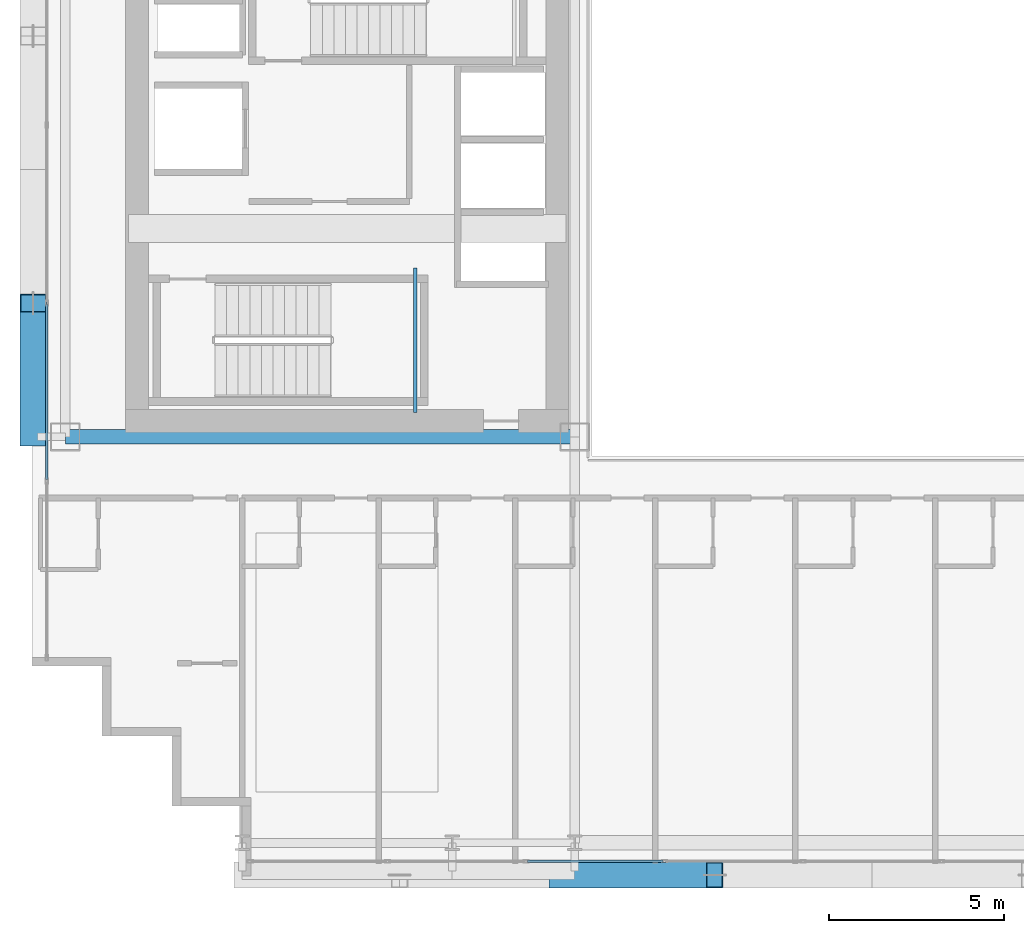
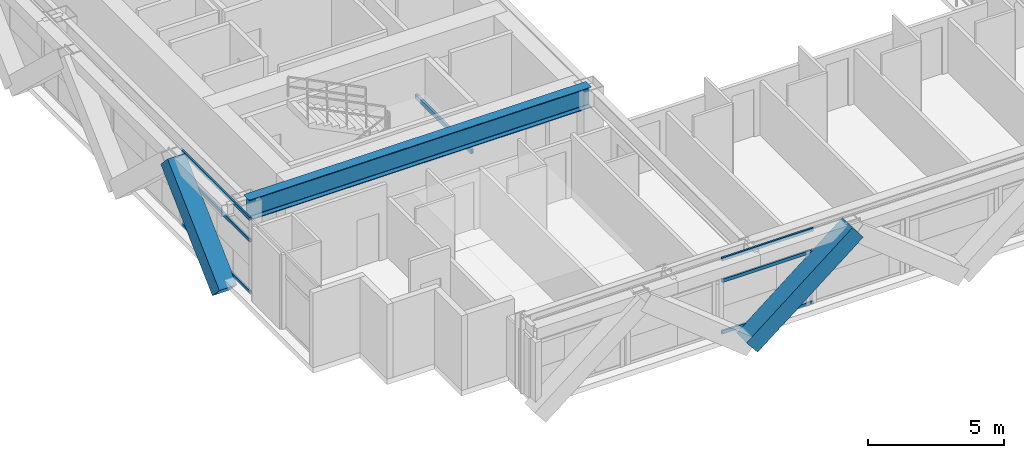
# One storey, part 4 of 36: 8 members, 2 beams, 2 elements without a shape of their own.
"""IFC4 building model written with IfcOpenShell, lengths in metres."""

from ifc_helpers import new_model, si_unit, direction, frame, origin, origin_2d, place, context, subcontext, project, spatial, hollow_rectangle, i_section, extrude, source, transform, mapped, material, layer, layer_set, material_profile, profile_set, type_object, element, aggregate, save


model = new_model("IFC4")

# Units and contexts
model_context = context("Model", 3, precision=1e-05, world=origin(), true_north=direction((0.0, 1.0)))
body_context = subcontext(model_context, "Body", "Model", "MODEL_VIEW")
ifc_project = project(units=[si_unit("LENGTHUNIT", "METRE"), si_unit("AREAUNIT", "SQUARE_METRE"), si_unit("VOLUMEUNIT", "CUBIC_METRE"), si_unit("PLANEANGLEUNIT", "RADIAN"), si_unit("MASSUNIT", "GRAM", prefix="KILO")], contexts=[model_context])

# Site, building, storey
site_placement = place(None, origin())
site = spatial("IfcSite", under=ifc_project, at=site_placement, CompositionType="ELEMENT")
building_placement = place(site_placement, origin())
building = spatial("IfcBuilding", under=site, at=building_placement, Name="Ocotamira Hotel", CompositionType="ELEMENT")
storey_placement = place(building_placement, frame((0.0, 0.0, 133.199951171875)))
storey = spatial("IfcBuildingStorey", under=building, at=storey_placement, Name="L33", CompositionType="ELEMENT", Elevation=133.199951171875)

# Beams
ifc_material_1 = material(Name="Steel ASTM A500 Grade C", Category="steel")
ifc_material_profile_1 = material_profile(ifc_material_1, hollow_rectangle(XDim=0.10009765625, YDim=0.199951171875, WallThickness=0.008056640625, at=origin_2d()), Name="HSS200X100X8")
ifc_profile_set_1 = profile_set([ifc_material_profile_1], Name="Steel ASTM A500 Grade C")
beam_type_1 = type_object("IfcBeamType", Name="BM-STLDG-HSS200", PredefinedType="BEAM", material=ifc_profile_set_1)
shared_shape_1 = source(origin(), body_context, "Body", "SweptSolid", [
    extrude(hollow_rectangle(XDim=0.10009765625, YDim=0.199951171875, WallThickness=0.008056640625, at=origin_2d()), origin(), (0.0, 0.0, 1.0), 4.1201171875),
])
beam_1_placement = place(storey_placement, frame((18.949951171875, 15.25, 1.5), z_axis=(0.0, 1.0, 0.0), x_axis=(-1.0, 0.0, 0.0)))
element("IfcBeam", 1, at=beam_1_placement, inside=storey, type_object=beam_type_1, Name="L33 Stair ST-1 Landing Bearer 1", PredefinedType="BEAM", context=body_context, shape_type="MappedRepresentation", body=[
    mapped(shared_shape_1, transform((0.0, 0.0, 0.0), scale=1.0)),
])
ifc_material_2 = material(Name="Steel ASTM A992 Grade 50", Category="steel")
ifc_material_profile_2 = material_profile(ifc_material_2, i_section(OverallWidth=0.41796875, OverallDepth=0.927001953125, WebThickness=0.019287109375, FlangeThickness=0.031982421875, FilletRadius=0.02392578125, at=origin_2d()), Name="W36X231")
ifc_profile_set_2 = profile_set([ifc_material_profile_2], Name="Steel ASTM A992 Grade 50")
beam_type_2 = type_object("IfcBeamType", Name="BM-GIRD-W36X231", PredefinedType="BEAM", material=ifc_profile_set_2)
shared_shape_2 = source(origin(), body_context, "Body", "SweptSolid", [
    extrude(i_section(OverallWidth=0.41796875, OverallDepth=0.927001953125, WebThickness=0.019287109375, FlangeThickness=0.031982421875, FilletRadius=0.02392578125, at=origin_2d()), origin(), (0.0, 0.0, 1.0), 14.550048828125),
])
beam_2_placement = place(storey_placement, frame((8.949951171875, 14.550048828125, 2.896484375), z_axis=(1.0, 0.0, 0.0), x_axis=(0.0, 1.0, 0.0)))
element("IfcBeam", 2, at=beam_2_placement, inside=storey, type_object=beam_type_2, Name="L33 Girder Y14.55 X8.95-23.5", PredefinedType="BEAM", context=body_context, shape_type="MappedRepresentation", body=[
    mapped(shared_shape_2, transform((0.0, 0.0, 0.0), scale=1.0)),
])

# Members
ifc_material_3 = material(Name="Pale-metal coated steel ASTM A913 Grade 65", Category="steel")
ifc_material_profile_3 = material_profile(ifc_material_3, hollow_rectangle(XDim=0.75, YDim=0.75, WallThickness=0.028076171875, at=origin_2d()), Name="BOX750X750X28")
ifc_profile_set_3 = profile_set([ifc_material_profile_3], Name="Pale-metal coated steel ASTM A913 Grade 65")
member_type_1 = type_object("IfcMemberType", Name="MEM-EXO-BOX750", PredefinedType="BRACE", material=ifc_profile_set_3)
shared_shape_3 = source(origin(), body_context, "Body", "SweptSolid", [
    extrude(hollow_rectangle(XDim=0.75, YDim=0.75, WallThickness=0.028076171875, at=origin_2d()), origin(), (0.0, 0.0, 1.0), 5.762939453125),
])
member_1_placement = place(storey_placement, frame((23.0, 2.030029296875, -0.489990234375), z_axis=(0.780860543151, 0.0, 0.624705380279), x_axis=(0.0, 1.0, 0.0)))
element("IfcMember", 3, at=member_1_placement, inside=storey, type_object=member_type_1, Name="L33 Exoskeleton Diagrid S1.1", PredefinedType="BRACE", context=body_context, shape_type="MappedRepresentation", body=[
    mapped(shared_shape_3, transform((0.0, 0.0, 0.0), scale=1.0)),
])
shared_shape_4 = source(origin(), body_context, "Body", "SweptSolid", [
    extrude(hollow_rectangle(XDim=0.75, YDim=0.75, WallThickness=0.028076171875, at=origin_2d()), origin(), (0.0, 0.0, 1.0), 5.24658203125),
])
member_2_placement = place(storey_placement, frame((8.030029296875, 14.550048828125, -0.489990234375), z_axis=(0.0, 0.727442733726, 0.686168397078), x_axis=(-1.0, 0.0, 0.0)))
element("IfcMember", 4, at=member_2_placement, inside=storey, type_object=member_type_1, Name="L33 Exoskeleton Diagrid W0.1", PredefinedType="BRACE", context=body_context, shape_type="MappedRepresentation", body=[
    mapped(shared_shape_4, transform((0.0, 0.0, 0.0), scale=1.0)),
])

# Curtain wall, members
ifc_material_4 = material(Name="Anodised pale-metal aluminium and solar glass", Category="aluminium")
ifc_layer = layer(ifc_material_4, 0.179931640625)
ifc_layer_set = layer_set([ifc_layer], Name="Anodised pale-metal aluminium and solar glass")
curtain_wall_type = type_object("IfcCurtainWallType", Name="CW-SYS3-Z2", PredefinedType="NOTDEFINED", material=ifc_layer_set)
curtain_wall_1_placement = place(storey_placement, origin())
curtain_wall_1 = element("IfcCurtainWall", 5, at=curtain_wall_1_placement, inside=storey, type_object=curtain_wall_type, Name="L33 Curtain Wall CW-3 CW-L33-S1", PredefinedType="NOTDEFINED")
ifc_material_5 = material(Name="Anodised pale-metal aluminium 6063-T6", Category="aluminium")
ifc_material_profile_4 = material_profile(ifc_material_5, hollow_rectangle(XDim=0.074951171875, YDim=0.14990234375, WallThickness=0.006103515625, at=origin_2d()), Name="HSS150X75X6")
ifc_profile_set_4 = profile_set([ifc_material_profile_4], Name="Anodised pale-metal aluminium 6063-T6")
member_type_2 = type_object("IfcMemberType", Name="CWT-150X75", PredefinedType="USERDEFINED", material=ifc_profile_set_4)
shared_shape_5 = source(origin(), body_context, "Body", "SweptSolid", [
    extrude(hollow_rectangle(XDim=0.074951171875, YDim=0.14990234375, WallThickness=0.006103515625, at=origin_2d()), origin(), (0.0, 0.0, 1.0), 3.87548828125),
])
member_3_placement = place(storey_placement, frame((22.151123046875, 2.419921875, 0.03759765625), z_axis=(1.0, 0.0, 0.0), x_axis=(0.0, 1.0, 0.0)))
member_3 = element("IfcMember", 6, at=member_3_placement, type_object=member_type_2, Name="CW-3 transom 3.1", ObjectType="TRANSOM", PredefinedType="USERDEFINED", context=body_context, shape_type="MappedRepresentation", body=[
    mapped(shared_shape_5, transform((0.0, 0.0, 0.0), scale=1.0)),
])
member_4_placement = place(storey_placement, frame((22.151123046875, 2.419921875, 2.35009765625), z_axis=(1.0, 0.0, 0.0), x_axis=(0.0, 1.0, 0.0)))
member_4 = element("IfcMember", 7, at=member_4_placement, type_object=member_type_2, Name="CW-3 transom 3.2", ObjectType="TRANSOM", PredefinedType="USERDEFINED", context=body_context, shape_type="MappedRepresentation", body=[
    mapped(shared_shape_5, transform((0.0, 0.0, 0.0), scale=1.0)),
])
member_5_placement = place(storey_placement, frame((22.151123046875, 2.419921875, 3.322509765625), z_axis=(1.0, 0.0, 0.0), x_axis=(0.0, 1.0, 0.0)))
member_5 = element("IfcMember", 8, at=member_5_placement, type_object=member_type_2, Name="CW-3 transom 3.3", ObjectType="TRANSOM", PredefinedType="USERDEFINED", context=body_context, shape_type="MappedRepresentation", body=[
    mapped(shared_shape_5, transform((0.0, 0.0, 0.0), scale=1.0)),
])
aggregate(curtain_wall_1, [member_3, member_4, member_5])

curtain_wall_2_placement = place(storey_placement, origin())
curtain_wall_2 = element("IfcCurtainWall", 9, at=curtain_wall_2_placement, inside=storey, type_object=curtain_wall_type, Name="L33 Curtain Wall CW-3 CW-L33-W", PredefinedType="NOTDEFINED")
shared_shape_6 = source(origin(), body_context, "Body", "SweptSolid", [
    extrude(hollow_rectangle(XDim=0.074951171875, YDim=0.14990234375, WallThickness=0.006103515625, at=origin_2d()), origin(), (0.0, 0.0, 1.0), 5.005859375),
])
member_6_placement = place(storey_placement, frame((8.419921875, 13.32568359375, 0.03759765625), z_axis=(0.0, 1.0, 0.0), x_axis=(-1.0, 0.0, 0.0)))
member_6 = element("IfcMember", 10, at=member_6_placement, type_object=member_type_2, Name="CW-3 transom 2.1", ObjectType="TRANSOM", PredefinedType="USERDEFINED", context=body_context, shape_type="MappedRepresentation", body=[
    mapped(shared_shape_6, transform((0.0, 0.0, 0.0), scale=1.0)),
])
member_7_placement = place(storey_placement, frame((8.419921875, 13.32568359375, 2.35009765625), z_axis=(0.0, 1.0, 0.0), x_axis=(-1.0, 0.0, 0.0)))
member_7 = element("IfcMember", 11, at=member_7_placement, type_object=member_type_2, Name="CW-3 transom 2.2", ObjectType="TRANSOM", PredefinedType="USERDEFINED", context=body_context, shape_type="MappedRepresentation", body=[
    mapped(shared_shape_6, transform((0.0, 0.0, 0.0), scale=1.0)),
])
member_8_placement = place(storey_placement, frame((8.419921875, 13.32568359375, 3.322509765625), z_axis=(0.0, 1.0, 0.0), x_axis=(-1.0, 0.0, 0.0)))
member_8 = element("IfcMember", 12, at=member_8_placement, type_object=member_type_2, Name="CW-3 transom 2.3", ObjectType="TRANSOM", PredefinedType="USERDEFINED", context=body_context, shape_type="MappedRepresentation", body=[
    mapped(shared_shape_6, transform((0.0, 0.0, 0.0), scale=1.0)),
])
aggregate(curtain_wall_2, [member_6, member_7, member_8])

save(model, "model.ifc")
